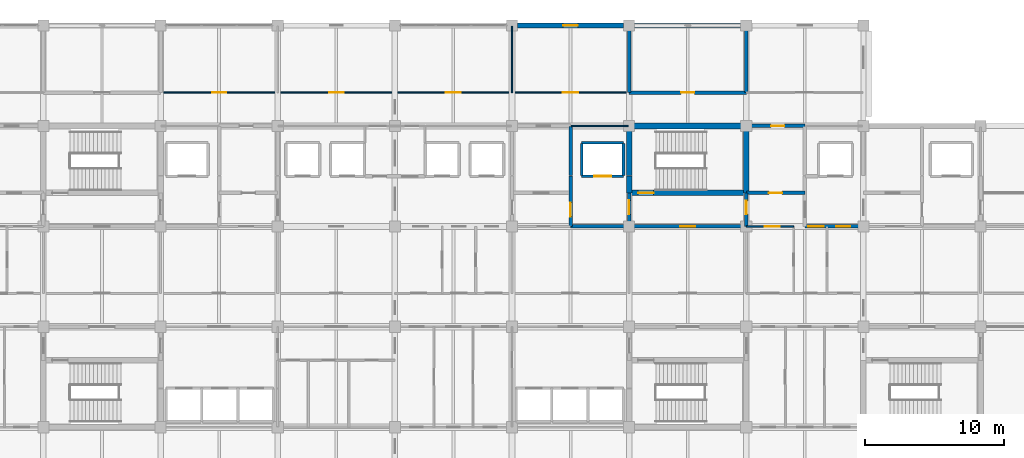
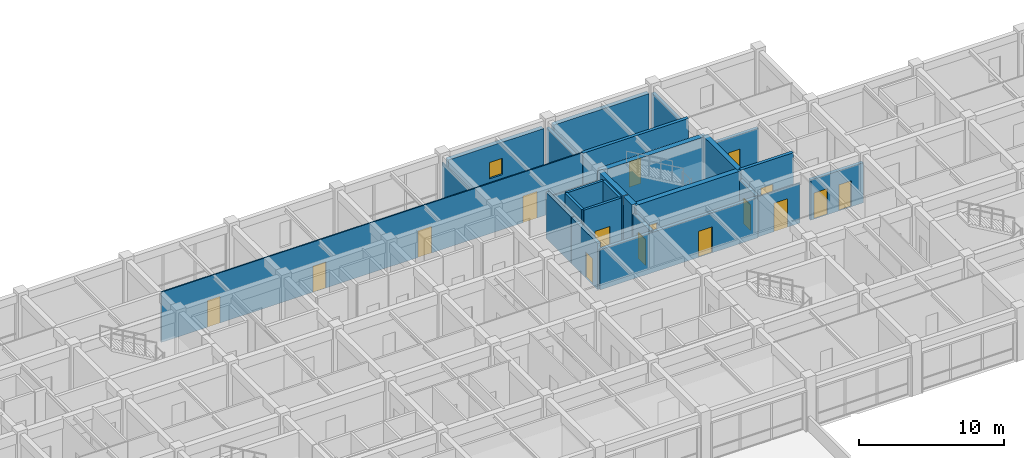
# One storey, part 29 of 40: 26 walls, 16 doors, 1 window, 17 openings.
"""IFC4 building model written with IfcOpenShell, lengths in metres."""

from ifc_helpers import new_model, si_unit, direction, frame, frame_2d, origin, place, context, subcontext, project, spatial, rectangle, extrude, material, layer, layer_set, type_object, element, fill, save


model = new_model("IFC4")

# Units and contexts
model_context = context("Model", 3, precision=1e-05, world=origin(), true_north=direction((0.0, 1.0)))
body_context = subcontext(model_context, "Body", "Model", "MODEL_VIEW")
ifc_project = project(units=[si_unit("LENGTHUNIT", "METRE"), si_unit("AREAUNIT", "SQUARE_METRE"), si_unit("VOLUMEUNIT", "CUBIC_METRE"), si_unit("PLANEANGLEUNIT", "RADIAN"), si_unit("MASSUNIT", "GRAM", prefix="KILO")], contexts=[model_context])

# Site, building, storey
site_placement = place(None, origin())
site = spatial("IfcSite", under=ifc_project, at=site_placement, CompositionType="ELEMENT")
building_placement = place(site_placement, origin())
building = spatial("IfcBuilding", under=site, at=building_placement, Name="Chengyuan Square Courthouse", CompositionType="ELEMENT")
storey_placement = place(building_placement, frame((0.0, 0.0, 21.60009765625)))
storey = spatial("IfcBuildingStorey", under=building, at=storey_placement, Name="L05", CompositionType="ELEMENT", Elevation=21.60009765625)

# Wall, opening, window
ifc_material_1 = material(Name="Concrete C40", Category="concrete")
ifc_layer_1 = layer(ifc_material_1, 0.35009765625)
ifc_layer_set_1 = layer_set([ifc_layer_1], Name="Concrete C40")
wall_type_1 = type_object("IfcWallType", Name="WL-EW2", PredefinedType="STANDARD", material=ifc_layer_set_1)
wall_1_placement = place(storey_placement, frame((92.794921875, 115.199951171875, 0.0), z_axis=(0.0, 0.0, 1.0), x_axis=(1.0, 0.0, 0.0)))
wall_1 = element("IfcWall", 1, at=wall_1_placement, inside=storey, type_object=wall_type_1, Name="Exterior Wall WL-L05-E347", PredefinedType="STANDARD", context=body_context, shape_type="SweptSolid", body=[
    extrude(rectangle(XDim=7.610107421875, YDim=0.35009765625, at=frame_2d((3.80517578125, 0.0))), origin(), (0.0, 0.0, 1.0), 3.58984375),
])
opening_1_placement = place(wall_1_placement, frame((3.280029296875, 0.0, 0.85009765625)))
opening_1 = element("IfcOpeningElement", 2, at=opening_1_placement, cuts=wall_1, Name="Opening WN-116", PredefinedType="OPENING", context=body_context, shape_type="SweptSolid", body=[
    extrude(rectangle(XDim=1.050048828125, YDim=1.3798828125, at=frame_2d((0.52490234375, 0.68994140625))), frame((0.0, 0.18701171875, 0.0), z_axis=(0.0, -1.0, 0.0), x_axis=(1.0, 0.0, 0.0)), (0.0, 0.0, 1.0), 0.3740234375),
])
ifc_material_2 = material(Name="Thermally Broken Aluminium Triple Low-E Window", Category="aluminium")
window_type = type_object("IfcWindowType", Name="WT-08", PartitioningType="SINGLE_PANEL", PredefinedType="WINDOW", material=ifc_material_2)
window_placement = place(opening_1_placement, origin())
window = element("IfcWindow", 3, at=window_placement, inside=storey, type_object=window_type, Name="Facade Window WN-116", OverallHeight=1.3798828125, OverallWidth=1.050048828125, PartitioningType="SINGLE_PANEL", PredefinedType="WINDOW", context=body_context, shape_type="SweptSolid", body=[
    extrude(rectangle(XDim=1.050048828125, YDim=1.3798828125, at=frame_2d((0.52490234375, 0.68994140625))), frame((0.0, 0.030029296875, 0.0), z_axis=(0.0, -1.0, 0.0), x_axis=(1.0, 0.0, 0.0)), (0.0, 0.0, 1.0), 0.06005859375),
])
fill(opening_1, window)

# Wall
wall_2_placement = place(storey_placement, frame((101.195068359375, 115.199951171875, 0.0), z_axis=(0.0, 0.0, 1.0), x_axis=(1.0, 0.0, 0.0)))
element("IfcWall", 4, at=wall_2_placement, inside=storey, type_object=wall_type_1, Name="Exterior Wall WL-L05-E348", PredefinedType="STANDARD", context=body_context, shape_type="SweptSolid", body=[
    extrude(rectangle(XDim=7.60986328125, YDim=0.35009765625, at=frame_2d((3.804931640625, 0.0))), origin(), (0.0, 0.0, 1.0), 3.58984375),
])

# Wall, opening, door
ifc_layer_2 = layer(ifc_material_1, 0.25)
ifc_layer_set_2 = layer_set([ifc_layer_2], Name="Concrete C40")
wall_type_2 = type_object("IfcWallType", Name="WL-FW1", PredefinedType="STANDARD", material=ifc_layer_set_2)
wall_3_placement = place(storey_placement, frame((96.60009765625, 100.800048828125, 0.0), z_axis=(0.0, 0.0, 1.0), x_axis=(1.0, 0.0, 0.0)))
wall_3 = element("IfcWall", 5, at=wall_3_placement, inside=storey, type_object=wall_type_2, Name="Interior Wall WL-L05-I2164", PredefinedType="STANDARD", context=body_context, shape_type="SweptSolid", body=[
    extrude(rectangle(XDim=12.599853515625, YDim=0.25, at=frame_2d((6.2998046875, 0.0))), origin(), (0.0, 0.0, 1.0), 3.389892578125),
])
opening_2_placement = place(wall_3_placement, frame((7.85009765625, 0.0, 0.0)))
opening_2 = element("IfcOpeningElement", 6, at=opening_2_placement, cuts=wall_3, Name="Opening DR-1930", PredefinedType="OPENING", context=body_context, shape_type="SweptSolid", body=[
    extrude(rectangle(XDim=1.10009765625, YDim=2.199951171875, at=frame_2d((0.550048828125, 1.10009765625))), frame((0.0, 0.136962890625, 0.0), z_axis=(0.0, -1.0, 0.0), x_axis=(1.0, 0.0, 0.0)), (0.0, 0.0, 1.0), 0.27392578125),
])
ifc_material_3 = material(Name="Steel Q235B Fire Door", Category="steel")
door_type_1 = type_object("IfcDoorType", Name="DT-10", OperationType="NOTDEFINED", PredefinedType="DOOR", material=ifc_material_3)
door_1_placement = place(opening_2_placement, origin())
door_1 = element("IfcDoor", 7, at=door_1_placement, inside=storey, type_object=door_type_1, Name="Interior Door DR-1930", OperationType="SINGLE_SWING_LEFT", OverallHeight=2.199951171875, OverallWidth=1.10009765625, PredefinedType="DOOR", context=body_context, shape_type="SweptSolid", body=[
    extrude(rectangle(XDim=1.10009765625, YDim=2.199951171875, at=frame_2d((0.550048828125, 1.10009765625))), frame((0.0, 0.02490234375, 0.0), z_axis=(0.0, -1.0, 0.0), x_axis=(1.0, 0.0, 0.0)), (0.0, 0.0, 1.0), 0.050048828125),
])
fill(opening_2, door_1)

# Wall, openings, doors
wall_4_placement = place(storey_placement, frame((113.39990234375, 100.800048828125, 0.0), z_axis=(0.0, 0.0, 1.0), x_axis=(1.0, 0.0, 0.0)))
wall_4 = element("IfcWall", 8, at=wall_4_placement, inside=storey, type_object=wall_type_2, Name="Interior Wall WL-L05-I2166", PredefinedType="STANDARD", context=body_context, shape_type="SweptSolid", body=[
    extrude(rectangle(XDim=4.2001953125, YDim=0.25, at=frame_2d((2.10009765625, 0.0))), origin(), (0.0, 0.0, 1.0), 3.389892578125),
])
opening_3_placement = place(wall_4_placement, frame((0.25, 0.0, 0.0)))
opening_3 = element("IfcOpeningElement", 9, at=opening_3_placement, cuts=wall_4, Name="Opening DR-1984", PredefinedType="OPENING", context=body_context, shape_type="SweptSolid", body=[
    extrude(rectangle(XDim=1.10009765625, YDim=2.199951171875, at=frame_2d((0.550048828125, 1.10009765625))), frame((0.0, 0.136962890625, 0.0), z_axis=(0.0, -1.0, 0.0), x_axis=(1.0, 0.0, 0.0)), (0.0, 0.0, 1.0), 0.27392578125),
])
opening_4_placement = place(wall_4_placement, frame((2.239990234375, 0.0, 0.0)))
opening_4 = element("IfcOpeningElement", 10, at=opening_4_placement, cuts=wall_4, Name="Opening DR-1985", PredefinedType="OPENING", context=body_context, shape_type="SweptSolid", body=[
    extrude(rectangle(XDim=1.0, YDim=2.199951171875, at=frame_2d((0.5, 1.10009765625))), frame((0.0, 0.136962890625, 0.0), z_axis=(0.0, -1.0, 0.0), x_axis=(1.0, 0.0, 0.0)), (0.0, 0.0, 1.0), 0.27392578125),
])
door_2_placement = place(opening_3_placement, origin())
door_2 = element("IfcDoor", 11, at=door_2_placement, inside=storey, type_object=door_type_1, Name="Interior Door DR-1984", OperationType="SINGLE_SWING_RIGHT", OverallHeight=2.199951171875, OverallWidth=1.10009765625, PredefinedType="DOOR", context=body_context, shape_type="SweptSolid", body=[
    extrude(rectangle(XDim=1.10009765625, YDim=2.199951171875, at=frame_2d((0.550048828125, 1.10009765625))), frame((0.0, 0.02490234375, 0.0), z_axis=(0.0, -1.0, 0.0), x_axis=(1.0, 0.0, 0.0)), (0.0, 0.0, 1.0), 0.050048828125),
])
fill(opening_3, door_2)
door_type_2 = type_object("IfcDoorType", Name="DT-11", OperationType="NOTDEFINED", PredefinedType="DOOR", material=ifc_material_3)
door_3_placement = place(opening_4_placement, origin())
door_3 = element("IfcDoor", 12, at=door_3_placement, inside=storey, type_object=door_type_2, Name="Interior Door DR-1985", OperationType="SINGLE_SWING_LEFT", OverallHeight=2.199951171875, OverallWidth=1.0, PredefinedType="DOOR", context=body_context, shape_type="SweptSolid", body=[
    extrude(rectangle(XDim=1.0, YDim=2.199951171875, at=frame_2d((0.5, 1.10009765625))), frame((0.0, 0.02490234375, 0.0), z_axis=(0.0, -1.0, 0.0), x_axis=(1.0, 0.0, 0.0)), (0.0, 0.0, 1.0), 0.050048828125),
])
fill(opening_4, door_3)

# Wall, opening, door
wall_5_placement = place(storey_placement, frame((109.199951171875, 103.199951171875, 0.0), z_axis=(0.0, 0.0, 1.0), x_axis=(1.0, 0.0, 0.0)))
wall_5 = element("IfcWall", 13, at=wall_5_placement, inside=storey, type_object=wall_type_2, Name="Interior Wall WL-L05-I2179", PredefinedType="STANDARD", context=body_context, shape_type="SweptSolid", body=[
    extrude(rectangle(XDim=4.199951171875, YDim=0.25, at=frame_2d((2.10009765625, 0.0))), origin(), (0.0, 0.0, 1.0), 4.239990234375),
])
opening_5_placement = place(wall_5_placement, frame((1.625, 0.0, 0.0)))
opening_5 = element("IfcOpeningElement", 14, at=opening_5_placement, cuts=wall_5, Name="Opening DR-1980", PredefinedType="OPENING", context=body_context, shape_type="SweptSolid", body=[
    extrude(rectangle(XDim=0.949951171875, YDim=2.14990234375, at=frame_2d((0.47509765625, 1.074951171875))), frame((0.0, 0.136962890625, 0.0), z_axis=(0.0, -1.0, 0.0), x_axis=(1.0, 0.0, 0.0)), (0.0, 0.0, 1.0), 0.27392578125),
])
door_type_3 = type_object("IfcDoorType", Name="DT-12", OperationType="NOTDEFINED", PredefinedType="DOOR", material=ifc_material_3)
door_4_placement = place(opening_5_placement, origin())
door_4 = element("IfcDoor", 15, at=door_4_placement, inside=storey, type_object=door_type_3, Name="Interior Door DR-1980", OperationType="SINGLE_SWING_RIGHT", OverallHeight=2.14990234375, OverallWidth=0.949951171875, PredefinedType="DOOR", context=body_context, shape_type="SweptSolid", body=[
    extrude(rectangle(XDim=0.949951171875, YDim=2.14990234375, at=frame_2d((0.47509765625, 1.074951171875))), frame((0.0, 0.02490234375, 0.0), z_axis=(0.0, -1.0, 0.0), x_axis=(1.0, 0.0, 0.0)), (0.0, 0.0, 1.0), 0.050048828125),
])
fill(opening_5, door_4)

wall_6_placement = place(storey_placement, frame((109.199951171875, 108.0, 0.0), z_axis=(0.0, 0.0, 1.0), x_axis=(1.0, 0.0, 0.0)))
wall_6 = element("IfcWall", 16, at=wall_6_placement, inside=storey, type_object=wall_type_2, Name="Interior Wall WL-L05-I2216", PredefinedType="STANDARD", context=body_context, shape_type="SweptSolid", body=[
    extrude(rectangle(XDim=4.199951171875, YDim=0.25, at=frame_2d((2.10009765625, 0.0))), origin(), (0.0, 0.0, 1.0), 3.389892578125),
])
opening_6_placement = place(wall_6_placement, frame((1.784912109375, 0.0, 0.0)))
opening_6 = element("IfcOpeningElement", 17, at=opening_6_placement, cuts=wall_6, Name="Opening DR-1983", PredefinedType="OPENING", context=body_context, shape_type="SweptSolid", body=[
    extrude(rectangle(XDim=0.949951171875, YDim=2.14990234375, at=frame_2d((0.47509765625, 1.074951171875))), frame((0.0, 0.136962890625, 0.0), z_axis=(0.0, -1.0, 0.0), x_axis=(1.0, 0.0, 0.0)), (0.0, 0.0, 1.0), 0.27392578125),
])
door_5_placement = place(opening_6_placement, origin())
door_5 = element("IfcDoor", 18, at=door_5_placement, inside=storey, type_object=door_type_3, Name="Interior Door DR-1983", OperationType="SINGLE_SWING_LEFT", OverallHeight=2.14990234375, OverallWidth=0.949951171875, PredefinedType="DOOR", context=body_context, shape_type="SweptSolid", body=[
    extrude(rectangle(XDim=0.949951171875, YDim=2.14990234375, at=frame_2d((0.47509765625, 1.074951171875))), frame((0.0, 0.02490234375, 0.0), z_axis=(0.0, -1.0, 0.0), x_axis=(1.0, 0.0, 0.0)), (0.0, 0.0, 1.0), 0.050048828125),
])
fill(opening_6, door_5)

wall_7_placement = place(storey_placement, frame((100.800048828125, 110.39990234375, 0.0), z_axis=(0.0, 0.0, 1.0), x_axis=(1.0, 0.0, 0.0)))
wall_7 = element("IfcWall", 19, at=wall_7_placement, inside=storey, type_object=wall_type_2, Name="Interior Wall WL-L05-I2221", PredefinedType="STANDARD", context=body_context, shape_type="SweptSolid", body=[
    extrude(rectangle(XDim=8.39990234375, YDim=0.25, at=frame_2d((4.199951171875, 0.0))), origin(), (0.0, 0.0, 1.0), 4.239990234375),
])
opening_7_placement = place(wall_7_placement, frame((3.72509765625, 0.0, 0.0)))
opening_7 = element("IfcOpeningElement", 20, at=opening_7_placement, cuts=wall_7, Name="Opening DR-2094", PredefinedType="OPENING", context=body_context, shape_type="SweptSolid", body=[
    extrude(rectangle(XDim=0.949951171875, YDim=2.14990234375, at=frame_2d((0.47509765625, 1.074951171875))), frame((0.0, 0.136962890625, 0.0), z_axis=(0.0, -1.0, 0.0), x_axis=(1.0, 0.0, 0.0)), (0.0, 0.0, 1.0), 0.27392578125),
])
door_6_placement = place(opening_7_placement, origin())
door_6 = element("IfcDoor", 21, at=door_6_placement, inside=storey, type_object=door_type_3, Name="Interior Door DR-2094", OperationType="SINGLE_SWING_RIGHT", OverallHeight=2.14990234375, OverallWidth=0.949951171875, PredefinedType="DOOR", context=body_context, shape_type="SweptSolid", body=[
    extrude(rectangle(XDim=0.949951171875, YDim=2.14990234375, at=frame_2d((0.47509765625, 1.074951171875))), frame((0.0, 0.02490234375, 0.0), z_axis=(0.0, -1.0, 0.0), x_axis=(1.0, 0.0, 0.0)), (0.0, 0.0, 1.0), 0.050048828125),
])
fill(opening_7, door_6)

wall_8_placement = place(storey_placement, frame((96.60009765625, 100.800048828125, 0.0), z_axis=(0.0, 0.0, 1.0), x_axis=(0.0, 1.0, 0.0)))
wall_8 = element("IfcWall", 22, at=wall_8_placement, inside=storey, type_object=wall_type_2, Name="Interior Wall WL-L05-I2308", PredefinedType="STANDARD", context=body_context, shape_type="SweptSolid", body=[
    extrude(rectangle(XDim=3.599853515625, YDim=0.25, at=frame_2d((1.7998046875, 0.0))), origin(), (0.0, 0.0, 1.0), 3.889892578125),
])
opening_8_placement = place(wall_8_placement, frame((0.699951171875, 0.0, 0.0)))
opening_8 = element("IfcOpeningElement", 23, at=opening_8_placement, cuts=wall_8, Name="Opening DR-1949", PredefinedType="OPENING", context=body_context, shape_type="SweptSolid", body=[
    extrude(rectangle(XDim=1.0, YDim=2.199951171875, at=frame_2d((0.5, 1.10009765625))), frame((0.0, 0.136962890625, 0.0), z_axis=(0.0, -1.0, 0.0), x_axis=(1.0, 0.0, 0.0)), (0.0, 0.0, 1.0), 0.27392578125),
])
door_7_placement = place(opening_8_placement, origin())
door_7 = element("IfcDoor", 24, at=door_7_placement, inside=storey, type_object=door_type_2, Name="Interior Door DR-1949", OperationType="SINGLE_SWING_RIGHT", OverallHeight=2.199951171875, OverallWidth=1.0, PredefinedType="DOOR", context=body_context, shape_type="SweptSolid", body=[
    extrude(rectangle(XDim=1.0, YDim=2.199951171875, at=frame_2d((0.5, 1.10009765625))), frame((0.0, 0.02490234375, 0.0), z_axis=(0.0, -1.0, 0.0), x_axis=(1.0, 0.0, 0.0)), (0.0, 0.0, 1.0), 0.050048828125),
])
fill(opening_8, door_7)

# Wall
wall_9_placement = place(storey_placement, frame((96.60009765625, 104.449951171875, 0.0), z_axis=(0.0, 0.0, 1.0), x_axis=(0.0, 1.0, 0.0)))
element("IfcWall", 25, at=wall_9_placement, inside=storey, type_object=wall_type_2, Name="Interior Wall WL-L05-I2309", PredefinedType="STANDARD", context=body_context, shape_type="SweptSolid", body=[
    extrude(rectangle(XDim=3.5, YDim=0.25, at=frame_2d((1.75, 0.0))), origin(), (0.0, 0.0, 1.0), 3.889892578125),
])

# Wall, opening, door
wall_10_placement = place(storey_placement, frame((100.800048828125, 100.800048828125, 0.0), z_axis=(0.0, 0.0, 1.0), x_axis=(0.0, 1.0, 0.0)))
wall_10 = element("IfcWall", 26, at=wall_10_placement, inside=storey, type_object=wall_type_2, Name="Interior Wall WL-L05-I2319", PredefinedType="STANDARD", context=body_context, shape_type="SweptSolid", body=[
    extrude(rectangle(XDim=2.39990234375, YDim=0.25, at=frame_2d((1.199951171875, 0.0))), origin(), (0.0, 0.0, 1.0), 3.489990234375),
])
opening_9_placement = place(wall_10_placement, frame((0.860107421875, 0.0, 0.0)))
opening_9 = element("IfcOpeningElement", 27, at=opening_9_placement, cuts=wall_10, Name="Opening DR-1928", PredefinedType="OPENING", context=body_context, shape_type="SweptSolid", body=[
    extrude(rectangle(XDim=1.0, YDim=2.199951171875, at=frame_2d((0.5, 1.10009765625))), frame((0.0, 0.136962890625, 0.0), z_axis=(0.0, -1.0, 0.0), x_axis=(1.0, 0.0, 0.0)), (0.0, 0.0, 1.0), 0.27392578125),
])
door_8_placement = place(opening_9_placement, origin())
door_8 = element("IfcDoor", 28, at=door_8_placement, inside=storey, type_object=door_type_2, Name="Interior Door DR-1928", OperationType="SINGLE_SWING_LEFT", OverallHeight=2.199951171875, OverallWidth=1.0, PredefinedType="DOOR", context=body_context, shape_type="SweptSolid", body=[
    extrude(rectangle(XDim=1.0, YDim=2.199951171875, at=frame_2d((0.5, 1.10009765625))), frame((0.0, 0.02490234375, 0.0), z_axis=(0.0, -1.0, 0.0), x_axis=(1.0, 0.0, 0.0)), (0.0, 0.0, 1.0), 0.050048828125),
])
fill(opening_9, door_8)

# Wall
wall_11_placement = place(storey_placement, frame((100.800048828125, 110.39990234375, 0.0), z_axis=(0.0, 0.0, 1.0), x_axis=(0.0, 1.0, 0.0)))
element("IfcWall", 29, at=wall_11_placement, inside=storey, type_object=wall_type_2, Name="Interior Wall WL-L05-I2322", PredefinedType="STANDARD", context=body_context, shape_type="SweptSolid", body=[
    extrude(rectangle(XDim=4.760009765625, YDim=0.25, at=frame_2d((2.3798828125, 0.0))), origin(), (0.0, 0.0, 1.0), 3.489990234375),
])

# Wall, opening, door
wall_12_placement = place(storey_placement, frame((109.199951171875, 100.800048828125, 0.0), z_axis=(0.0, 0.0, 1.0), x_axis=(0.0, 1.0, 0.0)))
wall_12 = element("IfcWall", 30, at=wall_12_placement, inside=storey, type_object=wall_type_2, Name="Interior Wall WL-L05-I2327", PredefinedType="STANDARD", context=body_context, shape_type="SweptSolid", body=[
    extrude(rectangle(XDim=2.39990234375, YDim=0.25, at=frame_2d((1.199951171875, 0.0))), origin(), (0.0, 0.0, 1.0), 3.489990234375),
])
opening_10_placement = place(wall_12_placement, frame((0.885009765625, 0.0, 0.0)))
opening_10 = element("IfcOpeningElement", 31, at=opening_10_placement, cuts=wall_12, Name="Opening DR-1929", PredefinedType="OPENING", context=body_context, shape_type="SweptSolid", body=[
    extrude(rectangle(XDim=0.949951171875, YDim=2.14990234375, at=frame_2d((0.47509765625, 1.074951171875))), frame((0.0, 0.136962890625, 0.0), z_axis=(0.0, -1.0, 0.0), x_axis=(1.0, 0.0, 0.0)), (0.0, 0.0, 1.0), 0.27392578125),
])
door_9_placement = place(opening_10_placement, origin())
door_9 = element("IfcDoor", 32, at=door_9_placement, inside=storey, type_object=door_type_3, Name="Interior Door DR-1929", OperationType="SINGLE_SWING_RIGHT", OverallHeight=2.14990234375, OverallWidth=0.949951171875, PredefinedType="DOOR", context=body_context, shape_type="SweptSolid", body=[
    extrude(rectangle(XDim=0.949951171875, YDim=2.14990234375, at=frame_2d((0.47509765625, 1.074951171875))), frame((0.0, 0.02490234375, 0.0), z_axis=(0.0, -1.0, 0.0), x_axis=(1.0, 0.0, 0.0)), (0.0, 0.0, 1.0), 0.050048828125),
])
fill(opening_10, door_9)

# Wall
wall_13_placement = place(storey_placement, frame((109.199951171875, 110.39990234375, 0.0), z_axis=(0.0, 0.0, 1.0), x_axis=(0.0, 1.0, 0.0)))
element("IfcWall", 33, at=wall_13_placement, inside=storey, type_object=wall_type_2, Name="Interior Wall WL-L05-I2329", PredefinedType="STANDARD", context=body_context, shape_type="SweptSolid", body=[
    extrude(rectangle(XDim=4.760009765625, YDim=0.25, at=frame_2d((2.3798828125, 0.0))), origin(), (0.0, 0.0, 1.0), 3.489990234375),
])

# Wall, opening, door
ifc_material_4 = material(Name="Gypsum Plasterboard Acoustic Stud Partition")
ifc_layer_3 = layer(ifc_material_4, 0.10009765625)
ifc_layer_set_3 = layer_set([ifc_layer_3], Name="Gypsum Plasterboard Acoustic Stud Partition")
wall_type_3 = type_object("IfcWallType", Name="WL-PT6", PredefinedType="STANDARD", material=ifc_layer_set_3)
wall_14_placement = place(storey_placement, frame((109.199951171875, 100.800048828125, 0.0), z_axis=(0.0, 0.0, 1.0), x_axis=(1.0, 0.0, 0.0)))
wall_14 = element("IfcWall", 34, at=wall_14_placement, inside=storey, type_object=wall_type_3, Name="Interior Wall WL-L05-I2165", PredefinedType="STANDARD", context=body_context, shape_type="SweptSolid", body=[
    extrude(rectangle(XDim=3.400146484375, YDim=0.10009765625, at=frame_2d((1.7001953125, 0.0))), origin(), (0.0, 0.0, 1.0), 3.389892578125),
])
opening_11_placement = place(wall_14_placement, frame((1.330078125, 0.0, 0.0)))
opening_11 = element("IfcOpeningElement", 35, at=opening_11_placement, cuts=wall_14, Name="Opening DR-1982", PredefinedType="OPENING", context=body_context, shape_type="SweptSolid", body=[
    extrude(rectangle(XDim=1.06005859375, YDim=2.39990234375, at=frame_2d((0.530029296875, 1.199951171875))), frame((0.0, 0.06201171875, 0.0), z_axis=(0.0, -1.0, 0.0), x_axis=(1.0, 0.0, 0.0)), (0.0, 0.0, 1.0), 0.1240234375),
])
ifc_material_5 = material(Name="Acoustic Solid-Core Timber Door", Category="wood")
door_type_4 = type_object("IfcDoorType", Name="DT-42", OperationType="NOTDEFINED", PredefinedType="DOOR", material=ifc_material_5)
door_10_placement = place(opening_11_placement, origin())
door_10 = element("IfcDoor", 36, at=door_10_placement, inside=storey, type_object=door_type_4, Name="Interior Door DR-1982", OperationType="SINGLE_SWING_RIGHT", OverallHeight=2.39990234375, OverallWidth=1.06005859375, PredefinedType="DOOR", context=body_context, shape_type="SweptSolid", body=[
    extrude(rectangle(XDim=1.06005859375, YDim=2.39990234375, at=frame_2d((0.530029296875, 1.199951171875))), frame((0.0, 0.02490234375, 0.0), z_axis=(0.0, -1.0, 0.0), x_axis=(1.0, 0.0, 0.0)), (0.0, 0.0, 1.0), 0.050048828125),
])
fill(opening_11, door_10)

# Wall
wall_15_placement = place(storey_placement, frame((96.64990234375, 108.0, 0.0), z_axis=(0.0, 0.0, 1.0), x_axis=(1.0, 0.0, 0.0)))
element("IfcWall", 37, at=wall_15_placement, inside=storey, type_object=wall_type_3, Name="Interior Wall WL-L05-I2214", PredefinedType="STANDARD", context=body_context, shape_type="SweptSolid", body=[
    extrude(rectangle(XDim=4.10009765625, YDim=0.10009765625, at=frame_2d((2.050048828125, 0.0))), origin(), (0.0, 0.0, 1.0), 3.389892578125),
])

# Wall, openings, doors
wall_16_placement = place(storey_placement, frame((67.199951171875, 110.39990234375, 0.0), z_axis=(0.0, 0.0, 1.0), x_axis=(1.0, 0.0, 0.0)))
wall_16 = element("IfcWall", 38, at=wall_16_placement, inside=storey, type_object=wall_type_3, Name="Interior Wall WL-L05-I2220", PredefinedType="STANDARD", context=body_context, shape_type="SweptSolid", body=[
    extrude(rectangle(XDim=33.60009765625, YDim=0.10009765625, at=frame_2d((16.800048828125, 0.0))), origin(), (0.0, 0.0, 1.0), 4.239990234375),
])
opening_12_placement = place(wall_16_placement, frame((3.699951171875, 0.0, 0.0)))
opening_12 = element("IfcOpeningElement", 39, at=opening_12_placement, cuts=wall_16, Name="Opening DR-2090", PredefinedType="OPENING", context=body_context, shape_type="SweptSolid", body=[
    extrude(rectangle(XDim=1.0, YDim=2.25, at=frame_2d((0.5, 1.125))), frame((0.0, 0.06201171875, 0.0), z_axis=(0.0, -1.0, 0.0), x_axis=(1.0, 0.0, 0.0)), (0.0, 0.0, 1.0), 0.1240234375),
])
opening_13_placement = place(wall_16_placement, frame((12.080078125, 0.0, 0.0)))
opening_13 = element("IfcOpeningElement", 40, at=opening_13_placement, cuts=wall_16, Name="Opening DR-2091", PredefinedType="OPENING", context=body_context, shape_type="SweptSolid", body=[
    extrude(rectangle(XDim=1.0400390625, YDim=2.199951171875, at=frame_2d((0.52001953125, 1.10009765625))), frame((0.0, 0.06201171875, 0.0), z_axis=(0.0, -1.0, 0.0), x_axis=(1.0, 0.0, 0.0)), (0.0, 0.0, 1.0), 0.1240234375),
])
opening_14_placement = place(wall_16_placement, frame((20.4599609375, 0.0, 0.0)))
opening_14 = element("IfcOpeningElement", 41, at=opening_14_placement, cuts=wall_16, Name="Opening DR-2092", PredefinedType="OPENING", context=body_context, shape_type="SweptSolid", body=[
    extrude(rectangle(XDim=1.080078125, YDim=2.25, at=frame_2d((0.5400390625, 1.125))), frame((0.0, 0.06201171875, 0.0), z_axis=(0.0, -1.0, 0.0), x_axis=(1.0, 0.0, 0.0)), (0.0, 0.0, 1.0), 0.1240234375),
])
opening_15_placement = place(wall_16_placement, frame((28.840087890625, 0.0, 0.0)))
opening_15 = element("IfcOpeningElement", 42, at=opening_15_placement, cuts=wall_16, Name="Opening DR-2093", PredefinedType="OPENING", context=body_context, shape_type="SweptSolid", body=[
    extrude(rectangle(XDim=1.1201171875, YDim=2.25, at=frame_2d((0.56005859375, 1.125))), frame((0.0, 0.06201171875, 0.0), z_axis=(0.0, -1.0, 0.0), x_axis=(1.0, 0.0, 0.0)), (0.0, 0.0, 1.0), 0.1240234375),
])
door_type_5 = type_object("IfcDoorType", Name="DT-31", OperationType="NOTDEFINED", PredefinedType="DOOR", material=ifc_material_5)
door_11_placement = place(opening_12_placement, origin())
door_11 = element("IfcDoor", 43, at=door_11_placement, inside=storey, type_object=door_type_5, Name="Interior Door DR-2090", OperationType="SINGLE_SWING_RIGHT", OverallHeight=2.25, OverallWidth=1.0, PredefinedType="DOOR", context=body_context, shape_type="SweptSolid", body=[
    extrude(rectangle(XDim=1.0, YDim=2.25, at=frame_2d((0.5, 1.125))), frame((0.0, 0.02490234375, 0.0), z_axis=(0.0, -1.0, 0.0), x_axis=(1.0, 0.0, 0.0)), (0.0, 0.0, 1.0), 0.050048828125),
])
fill(opening_12, door_11)
door_type_6 = type_object("IfcDoorType", Name="DT-32", OperationType="NOTDEFINED", PredefinedType="DOOR", material=ifc_material_5)
door_12_placement = place(opening_13_placement, origin())
door_12 = element("IfcDoor", 44, at=door_12_placement, inside=storey, type_object=door_type_6, Name="Interior Door DR-2091", OperationType="SINGLE_SWING_LEFT", OverallHeight=2.199951171875, OverallWidth=1.0400390625, PredefinedType="DOOR", context=body_context, shape_type="SweptSolid", body=[
    extrude(rectangle(XDim=1.0400390625, YDim=2.199951171875, at=frame_2d((0.52001953125, 1.10009765625))), frame((0.0, 0.02490234375, 0.0), z_axis=(0.0, -1.0, 0.0), x_axis=(1.0, 0.0, 0.0)), (0.0, 0.0, 1.0), 0.050048828125),
])
fill(opening_13, door_12)
door_type_7 = type_object("IfcDoorType", Name="DT-33", OperationType="NOTDEFINED", PredefinedType="DOOR", material=ifc_material_5)
door_13_placement = place(opening_14_placement, origin())
door_13 = element("IfcDoor", 45, at=door_13_placement, inside=storey, type_object=door_type_7, Name="Interior Door DR-2092", OperationType="SINGLE_SWING_RIGHT", OverallHeight=2.25, OverallWidth=1.080078125, PredefinedType="DOOR", context=body_context, shape_type="SweptSolid", body=[
    extrude(rectangle(XDim=1.080078125, YDim=2.25, at=frame_2d((0.5400390625, 1.125))), frame((0.0, 0.02490234375, 0.0), z_axis=(0.0, -1.0, 0.0), x_axis=(1.0, 0.0, 0.0)), (0.0, 0.0, 1.0), 0.050048828125),
])
fill(opening_14, door_13)
door_type_8 = type_object("IfcDoorType", Name="DT-34", OperationType="NOTDEFINED", PredefinedType="DOOR", material=ifc_material_5)
door_14_placement = place(opening_15_placement, origin())
door_14 = element("IfcDoor", 46, at=door_14_placement, inside=storey, type_object=door_type_8, Name="Interior Door DR-2093", OperationType="SINGLE_SWING_LEFT", OverallHeight=2.25, OverallWidth=1.1201171875, PredefinedType="DOOR", context=body_context, shape_type="SweptSolid", body=[
    extrude(rectangle(XDim=1.1201171875, YDim=2.25, at=frame_2d((0.56005859375, 1.125))), frame((0.0, 0.02490234375, 0.0), z_axis=(0.0, -1.0, 0.0), x_axis=(1.0, 0.0, 0.0)), (0.0, 0.0, 1.0), 0.050048828125),
])
fill(opening_15, door_14)

# Wall
wall_17_placement = place(storey_placement, frame((92.39990234375, 110.39990234375, 0.0), z_axis=(0.0, 0.0, 1.0), x_axis=(0.0, 1.0, 0.0)))
element("IfcWall", 47, at=wall_17_placement, inside=storey, type_object=wall_type_3, Name="Interior Wall WL-L05-I2305", PredefinedType="STANDARD", context=body_context, shape_type="SweptSolid", body=[
    extrude(rectangle(XDim=4.760009765625, YDim=0.10009765625, at=frame_2d((2.3798828125, 0.0))), origin(), (0.0, 0.0, 1.0), 3.489990234375),
])

# Wall, opening, door
ifc_material_6 = material(Name="Reinforced Masonry Shaft Enclosure", Category="masonry")
ifc_layer_4 = layer(ifc_material_6, 0.199951171875)
ifc_layer_set_4 = layer_set([ifc_layer_4], Name="Reinforced Masonry Shaft Enclosure")
wall_type_4 = type_object("IfcWallType", Name="WL-SH1", PredefinedType="STANDARD", material=ifc_layer_set_4)
wall_18_placement = place(storey_placement, frame((97.39990234375, 104.39990234375, 0.0), z_axis=(0.0, 0.0, 1.0), x_axis=(1.0, 0.0, 0.0)))
wall_18 = element("IfcWall", 48, at=wall_18_placement, inside=storey, type_object=wall_type_4, Name="Interior Wall WL-L05-I2191", PredefinedType="STANDARD", context=body_context, shape_type="SweptSolid", body=[
    extrude(rectangle(XDim=3.0, YDim=0.199951171875, at=frame_2d((1.5, 0.0))), origin(), (0.0, 0.0, 1.0), 4.239990234375),
])
opening_16_placement = place(wall_18_placement, frame((0.89990234375, 0.0, 0.0)))
opening_16 = element("IfcOpeningElement", 49, at=opening_16_placement, cuts=wall_18, Name="Opening LD-086", PredefinedType="OPENING", context=body_context, shape_type="SweptSolid", body=[
    extrude(rectangle(XDim=1.199951171875, YDim=2.14990234375, at=frame_2d((0.60009765625, 1.074951171875))), frame((0.0, 0.112060546875, 0.0), z_axis=(0.0, -1.0, 0.0), x_axis=(1.0, 0.0, 0.0)), (0.0, 0.0, 1.0), 0.223876953125),
])
ifc_material_7 = material(Name="Stainless Steel S30408 Lift Landing Door", Category="steel")
door_type_9 = type_object("IfcDoorType", Name="DT-05", OperationType="DOUBLE_DOOR_SLIDING", PredefinedType="DOOR", material=ifc_material_7)
door_15_placement = place(opening_16_placement, origin())
door_15 = element("IfcDoor", 50, at=door_15_placement, inside=storey, type_object=door_type_9, Name="Lift Landing Door LF-F2 L05", OperationType="DOUBLE_DOOR_SLIDING", OverallHeight=2.14990234375, OverallWidth=1.199951171875, PredefinedType="DOOR", context=body_context, shape_type="SweptSolid", body=[
    extrude(rectangle(XDim=1.199951171875, YDim=2.14990234375, at=frame_2d((0.60009765625, 1.074951171875))), frame((0.0, 0.02490234375, 0.0), z_axis=(0.0, -1.0, 0.0), x_axis=(1.0, 0.0, 0.0)), (0.0, 0.0, 1.0), 0.050048828125),
])
fill(opening_16, door_15)

# Walls
wall_19_placement = place(storey_placement, frame((97.39990234375, 106.800048828125, 0.0), z_axis=(0.0, 0.0, 1.0), x_axis=(1.0, 0.0, 0.0)))
element("IfcWall", 51, at=wall_19_placement, inside=storey, type_object=wall_type_4, Name="Interior Wall WL-L05-I2202", PredefinedType="STANDARD", context=body_context, shape_type="SweptSolid", body=[
    extrude(rectangle(XDim=3.0, YDim=0.199951171875, at=frame_2d((1.5, 0.0))), origin(), (0.0, 0.0, 1.0), 4.239990234375),
])
for number, where, z_axis, x_axis, name in (
    (52, (97.39990234375, 104.449951171875, 0.0), (0.0, 0.0, 1.0), (0.0, 1.0, 0.0), "Interior Wall WL-L05-I2310"),
    (53, (100.39990234375, 104.449951171875, 0.0), (0.0, 0.0, 1.0), (0.0, 1.0, 0.0), "Interior Wall WL-L05-I2313"),
):
    element("IfcWall", number, at=place(storey_placement, frame(where, z_axis=z_axis, x_axis=x_axis)), inside=storey, type_object=wall_type_4, Name=name, PredefinedType="STANDARD", context=body_context, shape_type="SweptSolid", body=[
        extrude(rectangle(XDim=2.300048828125, YDim=0.199951171875, at=frame_2d((1.14990234375, 0.0))), origin(), (0.0, 0.0, 1.0), 4.239990234375),
    ])

# Wall, opening, door
ifc_material_8 = material(Name="Concrete C50", Category="concrete")
ifc_layer_5 = layer(ifc_material_8, 0.39990234375)
ifc_layer_set_5 = layer_set([ifc_layer_5], Name="Concrete C50")
wall_type_5 = type_object("IfcWallType", Name="WL-SW1", PredefinedType="SHEAR", material=ifc_layer_set_5)
wall_20_placement = place(storey_placement, frame((100.800048828125, 103.199951171875, 0.0), z_axis=(0.0, 0.0, 1.0), x_axis=(1.0, 0.0, 0.0)))
wall_20 = element("IfcWall", 54, at=wall_20_placement, inside=storey, type_object=wall_type_5, Name="Interior Wall WL-L05-I2178", PredefinedType="SHEAR", context=body_context, shape_type="SweptSolid", body=[
    extrude(rectangle(XDim=8.39990234375, YDim=0.39990234375, at=frame_2d((4.199951171875, 0.0))), origin(), (0.0, 0.0, 1.0), 4.239990234375),
])
opening_17_placement = place(wall_20_placement, frame((0.64990234375, 0.0, 0.0)))
opening_17 = element("IfcOpeningElement", 55, at=opening_17_placement, cuts=wall_20, Name="Opening DR-1920", PredefinedType="OPENING", context=body_context, shape_type="SweptSolid", body=[
    extrude(rectangle(XDim=1.10009765625, YDim=2.199951171875, at=frame_2d((0.550048828125, 1.10009765625))), frame((0.0, 0.2119140625, 0.0), z_axis=(0.0, -1.0, 0.0), x_axis=(1.0, 0.0, 0.0)), (0.0, 0.0, 1.0), 0.423828125),
])
door_16_placement = place(opening_17_placement, origin())
door_16 = element("IfcDoor", 56, at=door_16_placement, inside=storey, type_object=door_type_1, Name="Smoke-Proof Stairwell Fire Door ST-2 DR-1920", OperationType="SINGLE_SWING_LEFT", OverallHeight=2.199951171875, OverallWidth=1.10009765625, PredefinedType="DOOR", context=body_context, shape_type="SweptSolid", body=[
    extrude(rectangle(XDim=1.10009765625, YDim=2.199951171875, at=frame_2d((0.550048828125, 1.10009765625))), frame((0.0, 0.02490234375, 0.0), z_axis=(0.0, -1.0, 0.0), x_axis=(1.0, 0.0, 0.0)), (0.0, 0.0, 1.0), 0.050048828125),
])
fill(opening_17, door_16)

# Walls
wall_21_placement = place(storey_placement, frame((100.800048828125, 108.0, 0.0), z_axis=(0.0, 0.0, 1.0), x_axis=(1.0, 0.0, 0.0)))
element("IfcWall", 57, at=wall_21_placement, inside=storey, type_object=wall_type_5, Name="Interior Wall WL-L05-I2215", PredefinedType="SHEAR", context=body_context, shape_type="SweptSolid", body=[
    extrude(rectangle(XDim=8.39990234375, YDim=0.39990234375, at=frame_2d((4.199951171875, 0.0))), origin(), (0.0, 0.0, 1.0), 4.239990234375),
])
wall_22_placement = place(storey_placement, frame((100.800048828125, 103.199951171875, 0.0), z_axis=(0.0, 0.0, 1.0), x_axis=(0.0, 1.0, 0.0)))
element("IfcWall", 58, at=wall_22_placement, inside=storey, type_object=wall_type_5, Name="Interior Wall WL-L05-I2320", PredefinedType="SHEAR", context=body_context, shape_type="SweptSolid", body=[
    extrude(rectangle(XDim=1.199951171875, YDim=0.39990234375, at=frame_2d((0.60009765625, 0.0))), origin(), (0.0, 0.0, 1.0), 4.239990234375),
])
wall_23_placement = place(storey_placement, frame((100.800048828125, 104.449951171875, 0.0), z_axis=(0.0, 0.0, 1.0), x_axis=(0.0, 1.0, 0.0)))
element("IfcWall", 59, at=wall_23_placement, inside=storey, type_object=wall_type_5, Name="Interior Wall WL-L05-I2321", PredefinedType="SHEAR", context=body_context, shape_type="SweptSolid", body=[
    extrude(rectangle(XDim=3.5, YDim=0.39990234375, at=frame_2d((1.75, 0.0))), origin(), (0.0, 0.0, 1.0), 4.239990234375),
])
wall_24_placement = place(storey_placement, frame((109.199951171875, 103.199951171875, 0.0), z_axis=(0.0, 0.0, 1.0), x_axis=(0.0, 1.0, 0.0)))
element("IfcWall", 60, at=wall_24_placement, inside=storey, type_object=wall_type_5, Name="Interior Wall WL-L05-I2328", PredefinedType="SHEAR", context=body_context, shape_type="SweptSolid", body=[
    extrude(rectangle(XDim=4.800048828125, YDim=0.39990234375, at=frame_2d((2.39990234375, 0.0))), origin(), (0.0, 0.0, 1.0), 4.239990234375),
])

save(model, "model.ifc")
